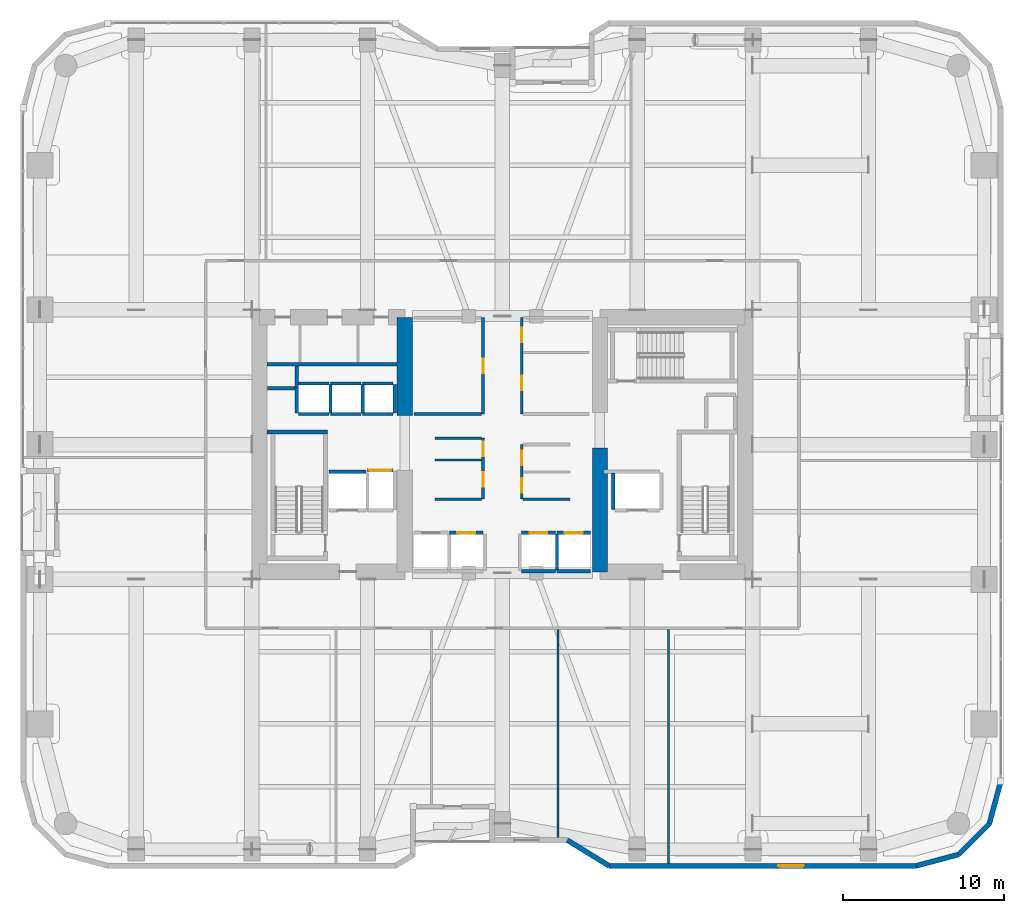
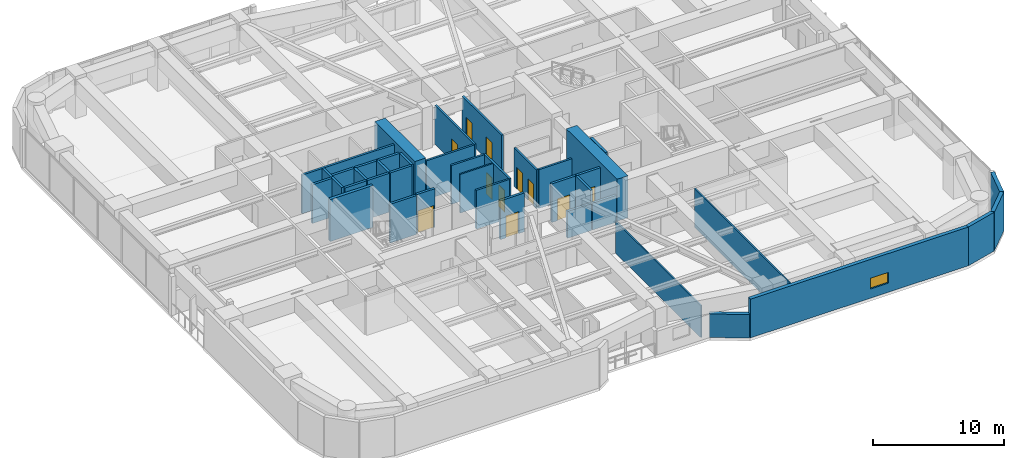
# One storey, part 23 of 28: 41 walls, 11 doors, 1 window, 12 openings.
"""IFC4 building model written with IfcOpenShell, lengths in metres."""

from ifc_helpers import new_model, si_unit, direction, frame, frame_2d, origin, place, context, subcontext, project, spatial, rectangle, extrude, material, layer, layer_set, type_object, element, fill, save


model = new_model("IFC4")

# Units and contexts
model_context = context("Model", 3, precision=1e-05, world=origin(), true_north=direction((0.0, 1.0)))
body_context = subcontext(model_context, "Body", "Model", "MODEL_VIEW")
ifc_project = project(units=[si_unit("LENGTHUNIT", "METRE"), si_unit("AREAUNIT", "SQUARE_METRE"), si_unit("VOLUMEUNIT", "CUBIC_METRE"), si_unit("PLANEANGLEUNIT", "RADIAN"), si_unit("MASSUNIT", "GRAM", prefix="KILO")], contexts=[model_context])

# Site, building, storey
site_placement = place(None, origin())
site = spatial("IfcSite", under=ifc_project, at=site_placement, CompositionType="ELEMENT")
building_placement = place(site_placement, origin())
building = spatial("IfcBuilding", under=site, at=building_placement, Name="Kiyonajd Concourse Tower", CompositionType="ELEMENT")
storey_placement = place(building_placement, frame((0.0, 0.0, 76.800048828125)))
storey = spatial("IfcBuildingStorey", under=building, at=storey_placement, Name="L20", CompositionType="ELEMENT", Elevation=76.800048828125)

# Walls
ifc_material_1 = material(Name="Concrete C80/95", Category="concrete")
ifc_layer_1 = layer(ifc_material_1, 0.949951171875)
ifc_layer_set_1 = layer_set([ifc_layer_1], Name="Concrete C80/95")
wall_type_1 = type_object("IfcWallType", Name="WL-CORE-950", PredefinedType="SHEAR", material=ifc_layer_set_1)
wall_1_placement = place(storey_placement, frame((41.925048828125, 37.800048828125, 0.0), z_axis=(0.0, 0.0, 1.0), x_axis=(0.0, 1.0, 0.0)))
element("IfcWall", 1, at=wall_1_placement, inside=storey, type_object=wall_type_1, Name="L20 West Core Inner North Shear Wall", PredefinedType="SHEAR", context=body_context, shape_type="SweptSolid", body=[
    extrude(rectangle(XDim=6.125, YDim=0.949951171875, at=frame_2d((3.0625, 0.0))), origin(), (0.0, 0.0, 1.0), 3.89990234375),
])
wall_2_placement = place(storey_placement, frame((54.074951171875, 28.074951171875, 0.0), z_axis=(0.0, 0.0, 1.0), x_axis=(0.0, 1.0, 0.0)))
element("IfcWall", 2, at=wall_2_placement, inside=storey, type_object=wall_type_1, Name="L20 East Core Inner South Shear Wall", PredefinedType="SHEAR", context=body_context, shape_type="SweptSolid", body=[
    extrude(rectangle(XDim=7.72509765625, YDim=0.949951171875, at=frame_2d((3.862548828125, 0.0))), origin(), (0.0, 0.0, 1.0), 3.89990234375),
])
ifc_material_2 = material(Name="Precast concrete C50/60", Category="concrete")
ifc_layer_2 = layer(ifc_material_2, 0.320068359375)
ifc_layer_set_2 = layer_set([ifc_layer_2], Name="Precast concrete C50/60")
wall_type_2 = type_object("IfcWallType", Name="WL-EXT-320", PredefinedType="SOLIDWALL", material=ifc_layer_set_2)
wall_3_placement = place(storey_placement, frame((79.0400390625, 15.02099609375, 0.0), z_axis=(0.0, 0.0, 1.0), x_axis=(-0.25869736047, -0.965958423373, 0.0)))
element("IfcWall", 3, at=wall_3_placement, inside=storey, type_object=wall_type_2, Name="L20 Exterior Concrete Frame Wall 25", PredefinedType="SOLIDWALL", context=body_context, shape_type="SweptSolid", body=[
    extrude(rectangle(XDim=2.731201171875, YDim=0.320068359375, at=frame_2d((1.36572265625, 0.0))), origin(), (0.0, 0.0, 1.0), 3.599853515625),
])
wall_4_placement = place(storey_placement, frame((78.33349609375, 12.3828125, 0.0), z_axis=(0.0, 0.0, 1.0), x_axis=(-0.707106781187, -0.707106781187, 0.0)))
element("IfcWall", 4, at=wall_4_placement, inside=storey, type_object=wall_type_2, Name="L20 Exterior Concrete Frame Wall 26", PredefinedType="SOLIDWALL", context=body_context, shape_type="SweptSolid", body=[
    extrude(rectangle(XDim=2.7099609375, YDim=0.320068359375, at=frame_2d((1.35498046875, 0.0))), origin(), (0.0, 0.0, 1.0), 3.599853515625),
])
wall_5_placement = place(storey_placement, frame((76.417236328125, 10.466552734375, 0.0), z_axis=(0.0, 0.0, 1.0), x_axis=(-0.965964405026, -0.25867502435, 0.0)))
element("IfcWall", 5, at=wall_5_placement, inside=storey, type_object=wall_type_2, Name="L20 Exterior Concrete Frame Wall 27", PredefinedType="SOLIDWALL", context=body_context, shape_type="SweptSolid", body=[
    extrude(rectangle(XDim=2.7314453125, YDim=0.320068359375, at=frame_2d((1.36572265625, 0.0))), origin(), (0.0, 0.0, 1.0), 3.599853515625),
])

# Wall, opening, window
wall_6_placement = place(storey_placement, frame((73.77880859375, 9.760009765625, 0.0), z_axis=(0.0, 0.0, 1.0), x_axis=(-1.0, 0.0, 0.0)))
wall_6 = element("IfcWall", 6, at=wall_6_placement, inside=storey, type_object=wall_type_2, Name="L20 Exterior Concrete Frame Wall 28", PredefinedType="SOLIDWALL", context=body_context, shape_type="SweptSolid", body=[
    extrude(rectangle(XDim=19.133544921875, YDim=0.320068359375, at=frame_2d((9.56689453125, 0.0))), origin(), (0.0, 0.0, 1.0), 3.599853515625),
])
opening_1_placement = place(wall_6_placement, frame((7.00390625, 0.0, 0.85009765625)))
opening_1 = element("IfcOpeningElement", 7, at=opening_1_placement, cuts=wall_6, Name="Opening WN6", PredefinedType="OPENING", context=body_context, shape_type="SweptSolid", body=[
    extrude(rectangle(XDim=1.60009765625, YDim=1.0, at=frame_2d((0.800048828125, 0.5))), frame((0.0, 0.169921875, 0.0), z_axis=(0.0, -1.0, 0.0), x_axis=(1.0, 0.0, 0.0)), (0.0, 0.0, 1.0), 0.340087890625),
])
ifc_material_3 = material(Name="Double Low-E Insulated Glass", Category="glass")
window_type = type_object("IfcWindowType", Name="WN-VIS-1600x1000", PartitioningType="SINGLE_PANEL", PredefinedType="WINDOW", material=ifc_material_3)
window_placement = place(opening_1_placement, origin())
window = element("IfcWindow", 8, at=window_placement, inside=storey, type_object=window_type, Name="L20 Modular Facade Vision Window 28", OverallHeight=1.0, OverallWidth=1.60009765625, PartitioningType="SINGLE_PANEL", PredefinedType="WINDOW", context=body_context, shape_type="SweptSolid", body=[
    extrude(rectangle(XDim=1.60009765625, YDim=1.0, at=frame_2d((0.800048828125, 0.5))), frame((0.0, 0.030029296875, 0.0), z_axis=(0.0, -1.0, 0.0), x_axis=(1.0, 0.0, 0.0)), (0.0, 0.0, 1.0), 0.06005859375),
])
fill(opening_1, window)

# Walls
wall_7_placement = place(storey_placement, frame((54.645263671875, 9.760009765625, 0.0), z_axis=(0.0, 0.0, 1.0), x_axis=(-0.851630857047, 0.524142044989, 0.0)))
element("IfcWall", 9, at=wall_7_placement, inside=storey, type_object=wall_type_2, Name="L20 Exterior Concrete Frame Wall 29", PredefinedType="SOLIDWALL", context=body_context, shape_type="SweptSolid", body=[
    extrude(rectangle(XDim=3.052734375, YDim=0.320068359375, at=frame_2d((1.5263671875, 0.0))), origin(), (0.0, 0.0, 1.0), 2.18505859375),
])
ifc_material_4 = material(Name="Gypsum Board on Cold-Formed Steel Stud", Category="steel")
ifc_layer_3 = layer(ifc_material_4, 0.125)
ifc_layer_set_3 = layer_set([ifc_layer_3], Name="Gypsum Board on Cold-Formed Steel Stud")
wall_type_3 = type_object("IfcWallType", Name="WL-PART-125", PredefinedType="PARTITIONING", material=ifc_layer_set_3)
wall_8_placement = place(storey_placement, frame((43.800048828125, 35.031982421875, 0.0), z_axis=(0.0, 0.0, 1.0), x_axis=(1.0, 0.0, 0.0)))
element("IfcWall", 10, at=wall_8_placement, inside=storey, type_object=wall_type_3, Name="L20 Interior Partition Wall", PredefinedType="PARTITIONING", context=body_context, shape_type="SweptSolid", body=[
    extrude(rectangle(XDim=2.912841796875, YDim=0.125, at=frame_2d((1.45654296875, 0.0))), origin(), (0.0, 0.0, 1.0), 3.599853515625),
])
wall_9_placement = place(storey_placement, frame((51.449951171875, 11.514892578125, 0.0), z_axis=(0.0, 0.0, 1.0), x_axis=(0.0, 1.0, 0.0)))
element("IfcWall", 11, at=wall_9_placement, inside=storey, type_object=wall_type_3, Name="L20 Interior Partition Wall", PredefinedType="PARTITIONING", context=body_context, shape_type="SweptSolid", body=[
    extrude(rectangle(XDim=12.9580078125, YDim=0.125, at=frame_2d((6.47900390625, 0.0))), origin(), (0.0, 0.0, 1.0), 2.962890625),
])
wall_10_placement = place(storey_placement, frame((58.360107421875, 9.9150390625, 0.0), z_axis=(0.0, 0.0, 1.0), x_axis=(0.0, 1.0, 0.0)))
element("IfcWall", 12, at=wall_10_placement, inside=storey, type_object=wall_type_3, Name="L20 Interior Partition Wall", PredefinedType="PARTITIONING", context=body_context, shape_type="SweptSolid", body=[
    extrude(rectangle(XDim=14.557861328125, YDim=0.125, at=frame_2d((7.27880859375, 0.0))), origin(), (0.0, 0.0, 1.0), 3.599853515625),
])
ifc_layer_4 = layer(ifc_material_4, 0.18994140625)
ifc_layer_set_4 = layer_set([ifc_layer_4], Name="Gypsum Board on Cold-Formed Steel Stud")
wall_type_4 = type_object("IfcWallType", Name="WL-PLMB-190", PredefinedType="PLUMBINGWALL", material=ifc_layer_set_4)
wall_11_placement = place(storey_placement, frame((33.35009765625, 41.0, 0.0), z_axis=(0.0, 0.0, 1.0), x_axis=(1.0, 0.0, 0.0)))
element("IfcWall", 13, at=wall_11_placement, inside=storey, type_object=wall_type_4, Name="L20 Interior Partition Wall", PredefinedType="PLUMBINGWALL", context=body_context, shape_type="SweptSolid", body=[
    extrude(rectangle(XDim=8.099853515625, YDim=0.18994140625, at=frame_2d((4.0498046875, 0.0))), origin(), (0.0, 0.0, 1.0), 3.599853515625),
])
ifc_layer_5 = layer(ifc_material_4, 0.2099609375)
ifc_layer_set_5 = layer_set([ifc_layer_5], Name="Gypsum Board on Cold-Formed Steel Stud")
wall_type_5 = type_object("IfcWallType", Name="WL-SHAFT-210", PredefinedType="PARTITIONING", material=ifc_layer_set_5)
wall_12_placement = place(storey_placement, frame((33.360107421875, 39.5, 0.0), z_axis=(0.0, 0.0, 1.0), x_axis=(1.0, 0.0, 0.0)))
element("IfcWall", 14, at=wall_12_placement, inside=storey, type_object=wall_type_5, Name="L20 Shaft Enclosure Wall", PredefinedType="PARTITIONING", context=body_context, shape_type="SweptSolid", body=[
    extrude(rectangle(XDim=1.85986328125, YDim=0.2099609375, at=frame_2d((0.929931640625, 0.0))), origin(), (0.0, 0.0, 1.0), 3.599853515625),
])
wall_13_placement = place(storey_placement, frame((35.199951171875, 39.580078125, 0.0), z_axis=(0.0, 0.0, 1.0), x_axis=(0.0, 1.0, 0.0)))
element("IfcWall", 15, at=wall_13_placement, inside=storey, type_object=wall_type_5, Name="L20 Shaft Enclosure Wall", PredefinedType="PARTITIONING", context=body_context, shape_type="SweptSolid", body=[
    extrude(rectangle(XDim=1.31982421875, YDim=0.2099609375, at=frame_2d((0.659912109375, 0.0))), origin(), (0.0, 0.0, 1.0), 3.599853515625),
])
wall_14_placement = place(storey_placement, frame((37.199951171875, 34.300048828125, 0.0), z_axis=(0.0, 0.0, 1.0), x_axis=(1.0, 0.0, 0.0)))
element("IfcWall", 16, at=wall_14_placement, inside=storey, type_object=wall_type_5, Name="L20 Shaft Enclosure Wall", PredefinedType="PARTITIONING", context=body_context, shape_type="SweptSolid", body=[
    extrude(rectangle(XDim=2.300048828125, YDim=0.2099609375, at=frame_2d((1.14990234375, 0.0))), origin(), (0.0, 0.0, 1.0), 3.599853515625),
])
wall_15_placement = place(storey_placement, frame((54.89990234375, 31.9599609375, 0.0), z_axis=(0.0, 0.0, 1.0), x_axis=(0.0, 1.0, 0.0)))
element("IfcWall", 17, at=wall_15_placement, inside=storey, type_object=wall_type_5, Name="L20 Shaft Enclosure Wall", PredefinedType="PARTITIONING", context=body_context, shape_type="SweptSolid", body=[
    extrude(rectangle(XDim=2.280029296875, YDim=0.2099609375, at=frame_2d((1.14013671875, 0.0))), origin(), (0.0, 0.0, 1.0), 3.599853515625),
])

# Wall, opening, door
wall_16_placement = place(storey_placement, frame((39.60009765625, 34.39990234375, 0.0), z_axis=(0.0, 0.0, 1.0), x_axis=(1.0, 0.0, 0.0)))
wall_16 = element("IfcWall", 18, at=wall_16_placement, inside=storey, type_object=wall_type_5, Name="L20 Shaft Enclosure Wall", PredefinedType="PARTITIONING", context=body_context, shape_type="SweptSolid", body=[
    extrude(rectangle(XDim=1.599853515625, YDim=0.2099609375, at=frame_2d((0.7998046875, 0.0))), origin(), (0.0, 0.0, 1.0), 3.599853515625),
])
opening_2_placement = place(wall_16_placement, frame((0.10009765625, 0.0, 0.0)))
opening_2 = element("IfcOpeningElement", 19, at=opening_2_placement, cuts=wall_16, Name="Opening LD3", PredefinedType="OPENING", context=body_context, shape_type="SweptSolid", body=[
    extrude(rectangle(XDim=1.39990234375, YDim=2.06005859375, at=frame_2d((0.699951171875, 1.030029296875))), frame((0.0, 0.114990234375, 0.0), z_axis=(0.0, -1.0, 0.0), x_axis=(1.0, 0.0, 0.0)), (0.0, 0.0, 1.0), 0.22998046875),
])
ifc_material_5 = material(Name="Brushed Stainless Steel Cab Assembly", Category="steel")
door_type_1 = type_object("IfcDoorType", Name="DR-LD-1400", OperationType="DOUBLE_DOOR_SLIDING", PredefinedType="DOOR", material=ifc_material_5)
door_1_placement = place(opening_2_placement, origin())
door_1 = element("IfcDoor", 20, at=door_1_placement, inside=storey, type_object=door_type_1, Name="L20 Lift SVL1 Sliding Landing Door", OperationType="DOUBLE_DOOR_SLIDING", OverallHeight=2.06005859375, OverallWidth=1.39990234375, PredefinedType="DOOR", context=body_context, shape_type="SweptSolid", body=[
    extrude(rectangle(XDim=1.39990234375, YDim=2.06005859375, at=frame_2d((0.699951171875, 1.030029296875))), frame((0.0, 0.02490234375, 0.0), z_axis=(0.0, -1.0, 0.0), x_axis=(1.0, 0.0, 0.0)), (0.0, 0.0, 1.0), 0.050048828125),
])
fill(opening_2, door_1)

wall_17_placement = place(storey_placement, frame((44.699951171875, 30.5, 0.0), z_axis=(0.0, 0.0, 1.0), x_axis=(1.0, 0.0, 0.0)))
wall_17 = element("IfcWall", 21, at=wall_17_placement, inside=storey, type_object=wall_type_5, Name="L20 Shaft Enclosure Wall", PredefinedType="PARTITIONING", context=body_context, shape_type="SweptSolid", body=[
    extrude(rectangle(XDim=2.10009765625, YDim=0.2099609375, at=frame_2d((1.050048828125, 0.0))), origin(), (0.0, 0.0, 1.0), 3.599853515625),
])
opening_3_placement = place(wall_17_placement, frame((0.5, 0.0, 0.0)))
opening_3 = element("IfcOpeningElement", 22, at=opening_3_placement, cuts=wall_17, Name="Opening LD1", PredefinedType="OPENING", context=body_context, shape_type="SweptSolid", body=[
    extrude(rectangle(XDim=1.10009765625, YDim=2.0400390625, at=frame_2d((0.550048828125, 1.02001953125))), frame((0.0, 0.114990234375, 0.0), z_axis=(0.0, -1.0, 0.0), x_axis=(1.0, 0.0, 0.0)), (0.0, 0.0, 1.0), 0.22998046875),
])
door_type_2 = type_object("IfcDoorType", Name="DR-LD-1100", OperationType="DOUBLE_DOOR_SLIDING", PredefinedType="DOOR", material=ifc_material_5)
door_2_placement = place(opening_3_placement, origin())
door_2 = element("IfcDoor", 23, at=door_2_placement, inside=storey, type_object=door_type_2, Name="L20 Lift PL-L2 Sliding Landing Door", OperationType="DOUBLE_DOOR_SLIDING", OverallHeight=2.0400390625, OverallWidth=1.10009765625, PredefinedType="DOOR", context=body_context, shape_type="SweptSolid", body=[
    extrude(rectangle(XDim=1.10009765625, YDim=2.0400390625, at=frame_2d((0.550048828125, 1.02001953125))), frame((0.0, 0.02490234375, 0.0), z_axis=(0.0, -1.0, 0.0), x_axis=(1.0, 0.0, 0.0)), (0.0, 0.0, 1.0), 0.050048828125),
])
fill(opening_3, door_2)

wall_18_placement = place(storey_placement, frame((49.199951171875, 30.5, 0.0), z_axis=(0.0, 0.0, 1.0), x_axis=(1.0, 0.0, 0.0)))
wall_18 = element("IfcWall", 24, at=wall_18_placement, inside=storey, type_object=wall_type_5, Name="L20 Shaft Enclosure Wall", PredefinedType="PARTITIONING", context=body_context, shape_type="SweptSolid", body=[
    extrude(rectangle(XDim=2.10009765625, YDim=0.2099609375, at=frame_2d((1.050048828125, 0.0))), origin(), (0.0, 0.0, 1.0), 3.599853515625),
])
opening_4_placement = place(wall_18_placement, frame((0.5, 0.0, 0.0)))
opening_4 = element("IfcOpeningElement", 25, at=opening_4_placement, cuts=wall_18, Name="Opening LD1", PredefinedType="OPENING", context=body_context, shape_type="SweptSolid", body=[
    extrude(rectangle(XDim=1.10009765625, YDim=2.0400390625, at=frame_2d((0.550048828125, 1.02001953125))), frame((0.0, 0.114990234375, 0.0), z_axis=(0.0, -1.0, 0.0), x_axis=(1.0, 0.0, 0.0)), (0.0, 0.0, 1.0), 0.22998046875),
])
door_3_placement = place(opening_4_placement, origin())
door_3 = element("IfcDoor", 26, at=door_3_placement, inside=storey, type_object=door_type_2, Name="L20 Lift PL-L3 Sliding Landing Door", OperationType="DOUBLE_DOOR_SLIDING", OverallHeight=2.0400390625, OverallWidth=1.10009765625, PredefinedType="DOOR", context=body_context, shape_type="SweptSolid", body=[
    extrude(rectangle(XDim=1.10009765625, YDim=2.0400390625, at=frame_2d((0.550048828125, 1.02001953125))), frame((0.0, 0.02490234375, 0.0), z_axis=(0.0, -1.0, 0.0), x_axis=(1.0, 0.0, 0.0)), (0.0, 0.0, 1.0), 0.050048828125),
])
fill(opening_4, door_3)

# Walls
wall_19_placement = place(storey_placement, frame((49.199951171875, 28.10009765625, 0.0), z_axis=(0.0, 0.0, 1.0), x_axis=(1.0, 0.0, 0.0)))
element("IfcWall", 27, at=wall_19_placement, inside=storey, type_object=wall_type_5, Name="L20 Shaft Enclosure Wall", PredefinedType="PARTITIONING", context=body_context, shape_type="SweptSolid", body=[
    extrude(rectangle(XDim=2.10009765625, YDim=0.2099609375, at=frame_2d((1.050048828125, 0.0))), origin(), (0.0, 0.0, 1.0), 2.48486328125),
])
wall_20_placement = place(storey_placement, frame((51.39990234375, 28.159912109375, 0.0), z_axis=(0.0, 0.0, 1.0), x_axis=(0.0, 1.0, 0.0)))
element("IfcWall", 28, at=wall_20_placement, inside=storey, type_object=wall_type_5, Name="L20 Shaft Enclosure Wall", PredefinedType="PARTITIONING", context=body_context, shape_type="SweptSolid", body=[
    extrude(rectangle(XDim=2.280029296875, YDim=0.2099609375, at=frame_2d((1.14013671875, 0.0))), origin(), (0.0, 0.0, 1.0), 3.599853515625),
])

# Wall, opening, door
wall_21_placement = place(storey_placement, frame((51.39990234375, 30.5, 0.0), z_axis=(0.0, 0.0, 1.0), x_axis=(1.0, 0.0, 0.0)))
wall_21 = element("IfcWall", 29, at=wall_21_placement, inside=storey, type_object=wall_type_5, Name="L20 Shaft Enclosure Wall", PredefinedType="PARTITIONING", context=body_context, shape_type="SweptSolid", body=[
    extrude(rectangle(XDim=2.10009765625, YDim=0.2099609375, at=frame_2d((1.050048828125, 0.0))), origin(), (0.0, 0.0, 1.0), 3.599853515625),
])
opening_5_placement = place(wall_21_placement, frame((0.5, 0.0, 0.0)))
opening_5 = element("IfcOpeningElement", 30, at=opening_5_placement, cuts=wall_21, Name="Opening LD1", PredefinedType="OPENING", context=body_context, shape_type="SweptSolid", body=[
    extrude(rectangle(XDim=1.10009765625, YDim=2.0400390625, at=frame_2d((0.550048828125, 1.02001953125))), frame((0.0, 0.114990234375, 0.0), z_axis=(0.0, -1.0, 0.0), x_axis=(1.0, 0.0, 0.0)), (0.0, 0.0, 1.0), 0.22998046875),
])
door_4_placement = place(opening_5_placement, origin())
door_4 = element("IfcDoor", 31, at=door_4_placement, inside=storey, type_object=door_type_2, Name="L20 Lift PL-L4 Sliding Landing Door", OperationType="DOUBLE_DOOR_SLIDING", OverallHeight=2.0400390625, OverallWidth=1.10009765625, PredefinedType="DOOR", context=body_context, shape_type="SweptSolid", body=[
    extrude(rectangle(XDim=1.10009765625, YDim=2.0400390625, at=frame_2d((0.550048828125, 1.02001953125))), frame((0.0, 0.02490234375, 0.0), z_axis=(0.0, -1.0, 0.0), x_axis=(1.0, 0.0, 0.0)), (0.0, 0.0, 1.0), 0.050048828125),
])
fill(opening_5, door_4)

# Walls
wall_22_placement = place(storey_placement, frame((51.39990234375, 28.10009765625, 0.0), z_axis=(0.0, 0.0, 1.0), x_axis=(1.0, 0.0, 0.0)))
element("IfcWall", 32, at=wall_22_placement, inside=storey, type_object=wall_type_5, Name="L20 Shaft Enclosure Wall", PredefinedType="PARTITIONING", context=body_context, shape_type="SweptSolid", body=[
    extrude(rectangle(XDim=2.10009765625, YDim=0.2099609375, at=frame_2d((1.050048828125, 0.0))), origin(), (0.0, 0.0, 1.0), 2.48486328125),
])
for number, where, z_axis, x_axis, name in (
    (33, (35.300048828125, 37.89990234375, 0.0), (0.0, 0.0, 1.0), (1.0, 0.0, 0.0), "L20 Shaft Enclosure Wall"),
    (34, (35.300048828125, 39.800048828125, 0.0), (0.0, 0.0, 1.0), (1.0, 0.0, 0.0), "L20 Shaft Enclosure Wall"),
):
    element("IfcWall", number, at=place(storey_placement, frame(where, z_axis=z_axis, x_axis=x_axis)), inside=storey, type_object=wall_type_5, Name=name, PredefinedType="PARTITIONING", context=body_context, shape_type="SweptSolid", body=[
        extrude(rectangle(XDim=1.89990234375, YDim=0.2099609375, at=frame_2d((0.949951171875, 0.0))), origin(), (0.0, 0.0, 1.0), 3.599853515625),
    ])
wall_23_placement = place(storey_placement, frame((35.199951171875, 37.9599609375, 0.0), z_axis=(0.0, 0.0, 1.0), x_axis=(0.0, 1.0, 0.0)))
element("IfcWall", 35, at=wall_23_placement, inside=storey, type_object=wall_type_5, Name="L20 Shaft Enclosure Wall", PredefinedType="PARTITIONING", context=body_context, shape_type="SweptSolid", body=[
    extrude(rectangle(XDim=1.6201171875, YDim=0.2099609375, at=frame_2d((0.81005859375, 0.0))), origin(), (0.0, 0.0, 1.0), 3.599853515625),
])
wall_24_placement = place(storey_placement, frame((37.300048828125, 37.9599609375, 0.0), z_axis=(0.0, 0.0, 1.0), x_axis=(0.0, 1.0, 0.0)))
element("IfcWall", 36, at=wall_24_placement, inside=storey, type_object=wall_type_5, Name="L20 Shaft Enclosure Wall", PredefinedType="PARTITIONING", context=body_context, shape_type="SweptSolid", body=[
    extrude(rectangle(XDim=1.780029296875, YDim=0.2099609375, at=frame_2d((0.89013671875, 0.0))), origin(), (0.0, 0.0, 1.0), 3.599853515625),
])
for number, where, z_axis, x_axis, name in (
    (37, (37.300048828125, 37.89990234375, 0.0), (0.0, 0.0, 1.0), (1.0, 0.0, 0.0), "L20 Shaft Enclosure Wall"),
    (38, (37.300048828125, 39.800048828125, 0.0), (0.0, 0.0, 1.0), (1.0, 0.0, 0.0), "L20 Shaft Enclosure Wall"),
):
    element("IfcWall", number, at=place(storey_placement, frame(where, z_axis=z_axis, x_axis=x_axis)), inside=storey, type_object=wall_type_5, Name=name, PredefinedType="PARTITIONING", context=body_context, shape_type="SweptSolid", body=[
        extrude(rectangle(XDim=1.89990234375, YDim=0.2099609375, at=frame_2d((0.949951171875, 0.0))), origin(), (0.0, 0.0, 1.0), 3.599853515625),
    ])
wall_25_placement = place(storey_placement, frame((39.300048828125, 37.9599609375, 0.0), z_axis=(0.0, 0.0, 1.0), x_axis=(0.0, 1.0, 0.0)))
element("IfcWall", 39, at=wall_25_placement, inside=storey, type_object=wall_type_5, Name="L20 Shaft Enclosure Wall", PredefinedType="PARTITIONING", context=body_context, shape_type="SweptSolid", body=[
    extrude(rectangle(XDim=1.780029296875, YDim=0.2099609375, at=frame_2d((0.89013671875, 0.0))), origin(), (0.0, 0.0, 1.0), 3.599853515625),
])
for number, where, z_axis, x_axis, name in (
    (40, (39.300048828125, 37.89990234375, 0.0), (0.0, 0.0, 1.0), (1.0, 0.0, 0.0), "L20 Shaft Enclosure Wall"),
    (41, (39.300048828125, 39.800048828125, 0.0), (0.0, 0.0, 1.0), (1.0, 0.0, 0.0), "L20 Shaft Enclosure Wall"),
):
    element("IfcWall", number, at=place(storey_placement, frame(where, z_axis=z_axis, x_axis=x_axis)), inside=storey, type_object=wall_type_5, Name=name, PredefinedType="PARTITIONING", context=body_context, shape_type="SweptSolid", body=[
        extrude(rectangle(XDim=1.89990234375, YDim=0.2099609375, at=frame_2d((0.949951171875, 0.0))), origin(), (0.0, 0.0, 1.0), 3.599853515625),
    ])
wall_26_placement = place(storey_placement, frame((41.300048828125, 37.9599609375, 0.0), z_axis=(0.0, 0.0, 1.0), x_axis=(0.0, 1.0, 0.0)))
element("IfcWall", 42, at=wall_26_placement, inside=storey, type_object=wall_type_5, Name="L20 Shaft Enclosure Wall", PredefinedType="PARTITIONING", context=body_context, shape_type="SweptSolid", body=[
    extrude(rectangle(XDim=1.780029296875, YDim=0.2099609375, at=frame_2d((0.89013671875, 0.0))), origin(), (0.0, 0.0, 1.0), 3.599853515625),
])

# Wall, openings, doors
ifc_layer_6 = layer(ifc_material_4, 0.169921875)
ifc_layer_set_6 = layer_set([ifc_layer_6], Name="Gypsum Board on Cold-Formed Steel Stud")
wall_type_6 = type_object("IfcWallType", Name="WL-SMK-170", PredefinedType="PARTITIONING", material=ifc_layer_set_6)
wall_27_placement = place(storey_placement, frame((46.800048828125, 32.60009765625, 0.0), z_axis=(0.0, 0.0, 1.0), x_axis=(0.0, 1.0, 0.0)))
wall_27 = element("IfcWall", 43, at=wall_27_placement, inside=storey, type_object=wall_type_6, Name="L20 Interior Partition Wall", PredefinedType="PARTITIONING", context=body_context, shape_type="SweptSolid", body=[
    extrude(rectangle(XDim=3.7998046875, YDim=0.169921875, at=frame_2d((1.89990234375, 0.0))), origin(), (0.0, 0.0, 1.0), 3.599853515625),
])
opening_6_placement = place(wall_27_placement, frame((0.76611328125, 0.0, 0.0)))
opening_6 = element("IfcOpeningElement", 44, at=opening_6_placement, cuts=wall_27, Name="Opening DF4", PredefinedType="OPENING", context=body_context, shape_type="SweptSolid", body=[
    extrude(rectangle(XDim=0.89990234375, YDim=2.02001953125, at=frame_2d((0.449951171875, 1.010009765625))), frame((0.0, 0.094970703125, 0.0), z_axis=(0.0, -1.0, 0.0), x_axis=(1.0, 0.0, 0.0)), (0.0, 0.0, 1.0), 0.18994140625),
])
opening_7_placement = place(wall_27_placement, frame((2.666015625, 0.0, 0.0)))
opening_7 = element("IfcOpeningElement", 45, at=opening_7_placement, cuts=wall_27, Name="Opening DF4", PredefinedType="OPENING", context=body_context, shape_type="SweptSolid", body=[
    extrude(rectangle(XDim=0.89990234375, YDim=2.02001953125, at=frame_2d((0.449951171875, 1.010009765625))), frame((0.0, 0.094970703125, 0.0), z_axis=(0.0, -1.0, 0.0), x_axis=(1.0, 0.0, 0.0)), (0.0, 0.0, 1.0), 0.18994140625),
])
door_type_3 = type_object("IfcDoorType", Name="DR-FD60-900", OperationType="NOTDEFINED", PredefinedType="DOOR", material=ifc_material_5)
door_5_placement = place(opening_6_placement, origin())
door_5 = element("IfcDoor", 46, at=door_5_placement, inside=storey, type_object=door_type_3, Name="L20 Interior Door", OperationType="SINGLE_SWING_LEFT", OverallHeight=2.02001953125, OverallWidth=0.89990234375, PredefinedType="DOOR", context=body_context, shape_type="SweptSolid", body=[
    extrude(rectangle(XDim=0.89990234375, YDim=2.02001953125, at=frame_2d((0.449951171875, 1.010009765625))), frame((0.0, 0.02490234375, 0.0), z_axis=(0.0, -1.0, 0.0), x_axis=(1.0, 0.0, 0.0)), (0.0, 0.0, 1.0), 0.050048828125),
])
fill(opening_6, door_5)
door_6_placement = place(opening_7_placement, origin())
door_6 = element("IfcDoor", 47, at=door_6_placement, inside=storey, type_object=door_type_3, Name="L20 Interior Door", OperationType="SINGLE_SWING_RIGHT", OverallHeight=2.02001953125, OverallWidth=0.89990234375, PredefinedType="DOOR", context=body_context, shape_type="SweptSolid", body=[
    extrude(rectangle(XDim=0.89990234375, YDim=2.02001953125, at=frame_2d((0.449951171875, 1.010009765625))), frame((0.0, 0.02490234375, 0.0), z_axis=(0.0, -1.0, 0.0), x_axis=(1.0, 0.0, 0.0)), (0.0, 0.0, 1.0), 0.050048828125),
])
fill(opening_7, door_6)

# Walls
for number, where, z_axis, x_axis, name in (
    (48, (43.800048828125, 32.60009765625, 0.0), (0.0, 0.0, 1.0), (1.0, 0.0, 0.0), "L20 Interior Partition Wall"),
    (49, (43.800048828125, 36.39990234375, 0.0), (0.0, 0.0, 1.0), (1.0, 0.0, 0.0), "L20 Interior Partition Wall"),
):
    element("IfcWall", number, at=place(storey_placement, frame(where, z_axis=z_axis, x_axis=x_axis)), inside=storey, type_object=wall_type_6, Name=name, PredefinedType="PARTITIONING", context=body_context, shape_type="SweptSolid", body=[
        extrude(rectangle(XDim=2.912841796875, YDim=0.169921875, at=frame_2d((1.45654296875, 0.0))), origin(), (0.0, 0.0, 1.0), 3.599853515625),
    ])

# Wall, openings, doors
wall_28_placement = place(storey_placement, frame((49.199951171875, 32.60009765625, 0.0), z_axis=(0.0, 0.0, 1.0), x_axis=(0.0, 1.0, 0.0)))
wall_28 = element("IfcWall", 50, at=wall_28_placement, inside=storey, type_object=wall_type_6, Name="L20 Interior Partition Wall", PredefinedType="PARTITIONING", context=body_context, shape_type="SweptSolid", body=[
    extrude(rectangle(XDim=3.39990234375, YDim=0.169921875, at=frame_2d((1.699951171875, 0.0))), origin(), (0.0, 0.0, 1.0), 3.599853515625),
])
opening_8_placement = place(wall_28_placement, frame((0.39990234375, 0.0, 0.0)))
opening_8 = element("IfcOpeningElement", 51, at=opening_8_placement, cuts=wall_28, Name="Opening DI2", PredefinedType="OPENING", context=body_context, shape_type="SweptSolid", body=[
    extrude(rectangle(XDim=0.89990234375, YDim=2.02001953125, at=frame_2d((0.449951171875, 1.010009765625))), frame((0.0, 0.094970703125, 0.0), z_axis=(0.0, -1.0, 0.0), x_axis=(1.0, 0.0, 0.0)), (0.0, 0.0, 1.0), 0.18994140625),
])
opening_9_placement = place(wall_28_placement, frame((2.10009765625, 0.0, 0.0)))
opening_9 = element("IfcOpeningElement", 52, at=opening_9_placement, cuts=wall_28, Name="Opening DI2", PredefinedType="OPENING", context=body_context, shape_type="SweptSolid", body=[
    extrude(rectangle(XDim=0.89990234375, YDim=2.02001953125, at=frame_2d((0.449951171875, 1.010009765625))), frame((0.0, 0.094970703125, 0.0), z_axis=(0.0, -1.0, 0.0), x_axis=(1.0, 0.0, 0.0)), (0.0, 0.0, 1.0), 0.18994140625),
])
ifc_material_6 = material(Name="Natural Oak Acoustic Timber Veneer", Category="wood")
door_type_4 = type_object("IfcDoorType", Name="DR-INT-900", OperationType="NOTDEFINED", PredefinedType="DOOR", material=ifc_material_6)
door_7_placement = place(opening_8_placement, origin())
door_7 = element("IfcDoor", 53, at=door_7_placement, inside=storey, type_object=door_type_4, Name="L20 Interior Door", OperationType="SINGLE_SWING_LEFT", OverallHeight=2.02001953125, OverallWidth=0.89990234375, PredefinedType="DOOR", context=body_context, shape_type="SweptSolid", body=[
    extrude(rectangle(XDim=0.89990234375, YDim=2.02001953125, at=frame_2d((0.449951171875, 1.010009765625))), frame((0.0, 0.02490234375, 0.0), z_axis=(0.0, -1.0, 0.0), x_axis=(1.0, 0.0, 0.0)), (0.0, 0.0, 1.0), 0.050048828125),
])
fill(opening_8, door_7)
door_8_placement = place(opening_9_placement, origin())
door_8 = element("IfcDoor", 54, at=door_8_placement, inside=storey, type_object=door_type_4, Name="L20 Interior Door", OperationType="SINGLE_SWING_RIGHT", OverallHeight=2.02001953125, OverallWidth=0.89990234375, PredefinedType="DOOR", context=body_context, shape_type="SweptSolid", body=[
    extrude(rectangle(XDim=0.89990234375, YDim=2.02001953125, at=frame_2d((0.449951171875, 1.010009765625))), frame((0.0, 0.02490234375, 0.0), z_axis=(0.0, -1.0, 0.0), x_axis=(1.0, 0.0, 0.0)), (0.0, 0.0, 1.0), 0.050048828125),
])
fill(opening_9, door_8)

# Wall
wall_29_placement = place(storey_placement, frame((49.287109375, 32.60009765625, 0.0), z_axis=(0.0, 0.0, 1.0), x_axis=(1.0, 0.0, 0.0)))
element("IfcWall", 55, at=wall_29_placement, inside=storey, type_object=wall_type_6, Name="L20 Interior Partition Wall", PredefinedType="PARTITIONING", context=body_context, shape_type="SweptSolid", body=[
    extrude(rectangle(XDim=2.912841796875, YDim=0.169921875, at=frame_2d((1.45654296875, 0.0))), origin(), (0.0, 0.0, 1.0), 3.599853515625),
])

# Wall, opening, door
wall_30_placement = place(storey_placement, frame((46.800048828125, 37.89990234375, 0.0), z_axis=(0.0, 0.0, 1.0), x_axis=(0.0, 1.0, 0.0)))
wall_30 = element("IfcWall", 56, at=wall_30_placement, inside=storey, type_object=wall_type_6, Name="L20 Interior Partition Wall", PredefinedType="PARTITIONING", context=body_context, shape_type="SweptSolid", body=[
    extrude(rectangle(XDim=6.0, YDim=0.169921875, at=frame_2d((3.0, 0.0))), origin(), (0.0, 0.0, 1.0), 3.599853515625),
])
opening_10_placement = place(wall_30_placement, frame((2.550048828125, 0.0, 0.0)))
opening_10 = element("IfcOpeningElement", 57, at=opening_10_placement, cuts=wall_30, Name="Opening DI2", PredefinedType="OPENING", context=body_context, shape_type="SweptSolid", body=[
    extrude(rectangle(XDim=0.89990234375, YDim=2.02001953125, at=frame_2d((0.449951171875, 1.010009765625))), frame((0.0, 0.094970703125, 0.0), z_axis=(0.0, -1.0, 0.0), x_axis=(1.0, 0.0, 0.0)), (0.0, 0.0, 1.0), 0.18994140625),
])
door_9_placement = place(opening_10_placement, origin())
door_9 = element("IfcDoor", 58, at=door_9_placement, inside=storey, type_object=door_type_4, Name="L20 Interior Door", OperationType="SINGLE_SWING_LEFT", OverallHeight=2.02001953125, OverallWidth=0.89990234375, PredefinedType="DOOR", context=body_context, shape_type="SweptSolid", body=[
    extrude(rectangle(XDim=0.89990234375, YDim=2.02001953125, at=frame_2d((0.449951171875, 1.010009765625))), frame((0.0, 0.02490234375, 0.0), z_axis=(0.0, -1.0, 0.0), x_axis=(1.0, 0.0, 0.0)), (0.0, 0.0, 1.0), 0.050048828125),
])
fill(opening_10, door_9)

# Wall
wall_31_placement = place(storey_placement, frame((42.5, 37.89990234375, 0.0), z_axis=(0.0, 0.0, 1.0), x_axis=(1.0, 0.0, 0.0)))
element("IfcWall", 59, at=wall_31_placement, inside=storey, type_object=wall_type_6, Name="L20 Interior Partition Wall", PredefinedType="PARTITIONING", context=body_context, shape_type="SweptSolid", body=[
    extrude(rectangle(XDim=4.212890625, YDim=0.169921875, at=frame_2d((2.1064453125, 0.0))), origin(), (0.0, 0.0, 1.0), 3.599853515625),
])

# Wall, openings, doors
wall_32_placement = place(storey_placement, frame((49.199951171875, 37.89990234375, 0.0), z_axis=(0.0, 0.0, 1.0), x_axis=(0.0, 1.0, 0.0)))
wall_32 = element("IfcWall", 60, at=wall_32_placement, inside=storey, type_object=wall_type_6, Name="L20 Interior Partition Wall", PredefinedType="PARTITIONING", context=body_context, shape_type="SweptSolid", body=[
    extrude(rectangle(XDim=6.0, YDim=0.169921875, at=frame_2d((3.0, 0.0))), origin(), (0.0, 0.0, 1.0), 3.599853515625),
])
opening_11_placement = place(wall_32_placement, frame((1.469970703125, 0.0, 0.0)))
opening_11 = element("IfcOpeningElement", 61, at=opening_11_placement, cuts=wall_32, Name="Opening DF4", PredefinedType="OPENING", context=body_context, shape_type="SweptSolid", body=[
    extrude(rectangle(XDim=0.89990234375, YDim=2.02001953125, at=frame_2d((0.449951171875, 1.010009765625))), frame((0.0, 0.094970703125, 0.0), z_axis=(0.0, -1.0, 0.0), x_axis=(1.0, 0.0, 0.0)), (0.0, 0.0, 1.0), 0.18994140625),
])
opening_12_placement = place(wall_32_placement, frame((4.469970703125, 0.0, 0.0)))
opening_12 = element("IfcOpeningElement", 62, at=opening_12_placement, cuts=wall_32, Name="Opening DF4", PredefinedType="OPENING", context=body_context, shape_type="SweptSolid", body=[
    extrude(rectangle(XDim=0.89990234375, YDim=2.02001953125, at=frame_2d((0.449951171875, 1.010009765625))), frame((0.0, 0.094970703125, 0.0), z_axis=(0.0, -1.0, 0.0), x_axis=(1.0, 0.0, 0.0)), (0.0, 0.0, 1.0), 0.18994140625),
])
door_10_placement = place(opening_11_placement, origin())
door_10 = element("IfcDoor", 63, at=door_10_placement, inside=storey, type_object=door_type_3, Name="L20 Interior Door", OperationType="SINGLE_SWING_RIGHT", OverallHeight=2.02001953125, OverallWidth=0.89990234375, PredefinedType="DOOR", context=body_context, shape_type="SweptSolid", body=[
    extrude(rectangle(XDim=0.89990234375, YDim=2.02001953125, at=frame_2d((0.449951171875, 1.010009765625))), frame((0.0, 0.02490234375, 0.0), z_axis=(0.0, -1.0, 0.0), x_axis=(1.0, 0.0, 0.0)), (0.0, 0.0, 1.0), 0.050048828125),
])
fill(opening_11, door_10)
door_11_placement = place(opening_12_placement, origin())
door_11 = element("IfcDoor", 64, at=door_11_placement, inside=storey, type_object=door_type_3, Name="L20 Interior Door", OperationType="SINGLE_SWING_LEFT", OverallHeight=2.02001953125, OverallWidth=0.89990234375, PredefinedType="DOOR", context=body_context, shape_type="SweptSolid", body=[
    extrude(rectangle(XDim=0.89990234375, YDim=2.02001953125, at=frame_2d((0.449951171875, 1.010009765625))), frame((0.0, 0.02490234375, 0.0), z_axis=(0.0, -1.0, 0.0), x_axis=(1.0, 0.0, 0.0)), (0.0, 0.0, 1.0), 0.050048828125),
])
fill(opening_12, door_11)

# Wall
ifc_material_7 = material(Name="Concrete C50/60", Category="concrete")
ifc_layer_7 = layer(ifc_material_7, 0.260009765625)
ifc_layer_set_7 = layer_set([ifc_layer_7], Name="Concrete C50/60")
wall_type_7 = type_object("IfcWallType", Name="WL-STAIR-260", PredefinedType="SHEAR", material=ifc_layer_set_7)
wall_33_placement = place(storey_placement, frame((33.35009765625, 36.780029296875, 0.0), z_axis=(0.0, 0.0, 1.0), x_axis=(1.0, 0.0, 0.0)))
element("IfcWall", 65, at=wall_33_placement, inside=storey, type_object=wall_type_7, Name="L20 Stair ST1 Structural North Wall", PredefinedType="SHEAR", context=body_context, shape_type="SweptSolid", body=[
    extrude(rectangle(XDim=3.760009765625, YDim=0.260009765625, at=frame_2d((1.8798828125, 0.0))), origin(), (0.0, 0.0, 1.0), 3.89990234375),
])

save(model, "model.ifc")
